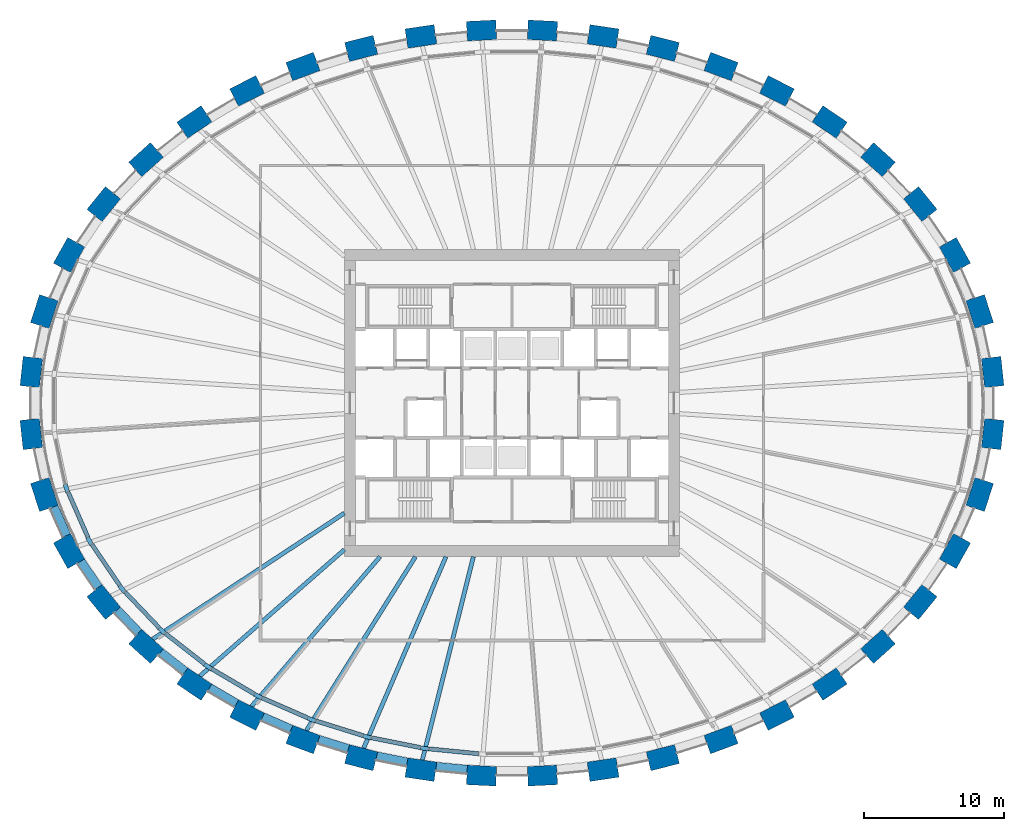
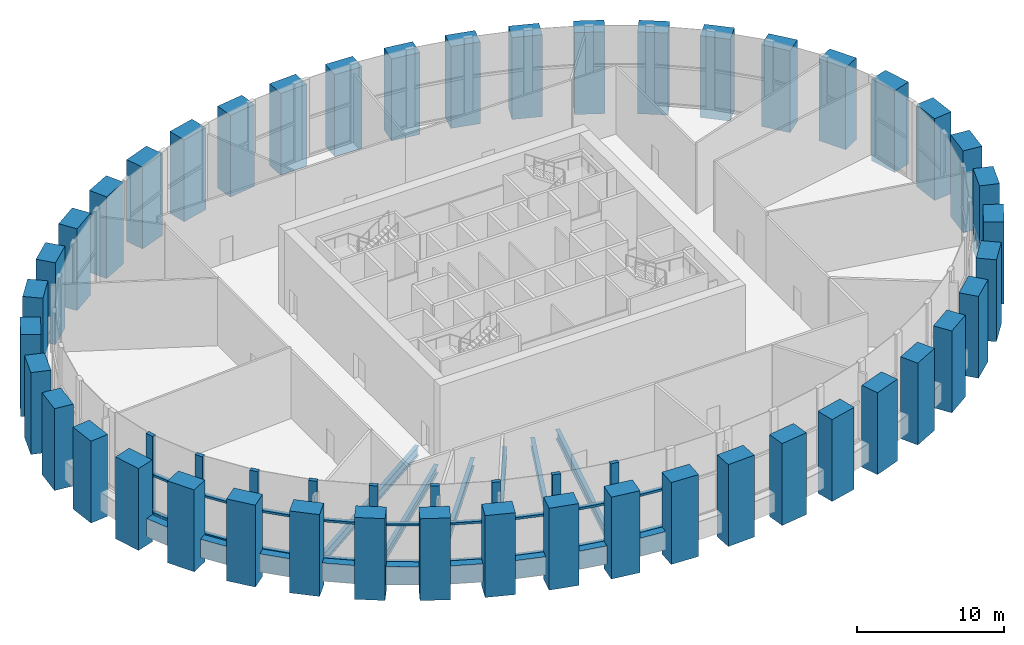
# One storey, part 1 of 16: 44 columns, 27 members, 15 beams, 1 element without a shape of its own.
"""IFC4 building model written with IfcOpenShell, lengths in metres."""

import ifcopenshell
import ifcopenshell.guid

model = None  # the IFC model being written
_history = None  # IfcOwnerHistory: only IFC2X3 demands one
_inside = {}  # id of a spatial element -> (the spatial element, [elements in it])
_under = {}  # id of a project, library or spatial element -> (it, [spatial elements below it])
_declared = {}  # id of a project -> (the project, [libraries it declares])
_typed = {}  # id of a type object -> (the type object, [elements of that type])
_made_of = {}  # id of a material, layer set ... -> (it, [elements and type objects made of it])


def new_model(schema):
    """Start an empty IFC model of exactly this schema.

    Asked for "IFC4X3", IfcOpenShell would pick the latest addendum, in which some entities
    have other attributes; the version numbers below select the first issue.
    IFC2X3 requires an IfcOwnerHistory on every rooted entity: one is made here for all.
    """
    global model, _history
    if schema == "IFC4X3":
        model = ifcopenshell.file(schema_version=(4, 3, 0, 0))
    else:
        model = ifcopenshell.file(schema=schema)
    _inside.clear()
    _under.clear()
    _declared.clear()
    _typed.clear()
    _made_of.clear()
    _history = None
    if model.schema == "IFC2X3":
        org = make("IfcOrganization", Name="unknown")
        user = make(
            "IfcPersonAndOrganization",
            ThePerson=make("IfcPerson", FamilyName="unknown"),
            TheOrganization=org,
        )
        app = make(
            "IfcApplication",
            ApplicationDeveloper=org,
            Version="unknown",
            ApplicationFullName="unknown",
            ApplicationIdentifier="unknown",
        )
        _history = make(
            "IfcOwnerHistory",
            OwningUser=user,
            OwningApplication=app,
            ChangeAction="ADDED",
            CreationDate=0,
        )
    return model


def make(cls, **values):
    """One entity of the class cls with the attributes given. An attribute that is None is left unset."""
    return model.create_entity(
        cls, **{name: value for name, value in values.items() if value is not None}
    )


def rooted(cls, **values):
    """An entity with a GlobalId (a new one), such as an element, a storey or a relation."""
    return make(cls, GlobalId=ifcopenshell.guid.new(), OwnerHistory=_history, **values)


def si_unit(unit_type, name, prefix=None):
    """IfcSIUnit, for example si_unit("LENGTHUNIT", "METRE", prefix="MILLI")."""
    return make("IfcSIUnit", UnitType=unit_type, Prefix=prefix, Name=name)


def assignment(units):
    """IfcUnitAssignment: the units of a project."""
    return None if units is None else make("IfcUnitAssignment", Units=units)


def point(xyz):
    """IfcCartesianPoint."""
    return None if xyz is None else make("IfcCartesianPoint", Coordinates=xyz)


def direction(xyz):
    """IfcDirection."""
    return None if xyz is None else make("IfcDirection", DirectionRatios=xyz)


def frame(location, z_axis=None, x_axis=None):
    """IfcAxis2Placement3D, a coordinate frame: its origin and axes. An axis left out is left unset."""
    return make(
        "IfcAxis2Placement3D",
        Location=point(location),
        Axis=direction(z_axis),
        RefDirection=direction(x_axis),
    )


def frame_2d(location, x_axis=None):
    """IfcAxis2Placement2D, a coordinate frame in the plane: its origin and x axis."""
    return make(
        "IfcAxis2Placement2D", Location=point(location), RefDirection=direction(x_axis)
    )


def origin():
    """The frame at (0, 0, 0) with its axes left unset."""
    return frame((0.0, 0.0, 0.0))


def origin_2d():
    """The frame at (0, 0) in the plane with its x axis left unset."""
    return frame_2d((0.0, 0.0))


def place(relative_to, where):
    """IfcLocalPlacement: puts the frame where relative to a parent placement (None: the world)."""
    return make(
        "IfcLocalPlacement", PlacementRelTo=relative_to, RelativePlacement=where
    )


def context(
    kind, dimensions, precision=None, world=None, true_north=None, identifier=None
):
    """IfcGeometricRepresentationContext, for example the 3D "Model" context."""
    return make(
        "IfcGeometricRepresentationContext",
        ContextIdentifier=identifier,
        ContextType=kind,
        CoordinateSpaceDimension=dimensions,
        Precision=precision,
        WorldCoordinateSystem=world,
        TrueNorth=true_north,
    )


def subcontext(parent, identifier, kind, view, scale=None):
    """IfcGeometricRepresentationSubContext, for example "Body" below "Model"."""
    return make(
        "IfcGeometricRepresentationSubContext",
        ContextIdentifier=identifier,
        ContextType=kind,
        ParentContext=parent,
        TargetScale=scale,
        TargetView=view,
    )


def project(units=None, contexts=None):
    """IfcProject with its units and contexts."""
    return rooted(
        "IfcProject",
        Name="project",
        RepresentationContexts=contexts,
        UnitsInContext=assignment(units),
    )


def spatial(cls, under=None, at=None, **own):
    """A site, building, storey or space (cls), placed at a placement, below another one or the project."""
    s = rooted(cls, ObjectPlacement=at, **own)
    if under is not None:
        _under.setdefault(under.id(), (under, []))[1].append(s)
    return s


def profile(cls, at=None, kind="AREA", **sizes):
    """A parametric profile (cls). Its sizes go by their IFC names, for example OverallWidth=200.0."""
    return make(cls, ProfileType=kind, Position=at, **sizes)


def rectangle(**sizes):
    """IfcRectangleProfileDef."""
    return profile("IfcRectangleProfileDef", **sizes)


def i_section(**sizes):
    """IfcIShapeProfileDef."""
    return profile("IfcIShapeProfileDef", **sizes)


def extrude(swept, where, along, depth):
    """IfcExtrudedAreaSolid: the profile swept, set in the frame where, extruded along a direction by depth."""
    return make(
        "IfcExtrudedAreaSolid",
        SweptArea=swept,
        Position=where,
        ExtrudedDirection=direction(along),
        Depth=depth,
    )


def shape(context_of_items, identifier, shape_type, items):
    """IfcShapeRepresentation: the items that make up one representation, for example the "Body"."""
    return make(
        "IfcShapeRepresentation",
        ContextOfItems=context_of_items,
        RepresentationIdentifier=identifier,
        RepresentationType=shape_type,
        Items=items,
    )


def source(mapping_origin, context_of_items, identifier, shape_type, items):
    """IfcRepresentationMap: a shape defined once, which mapped items show again and again."""
    return make(
        "IfcRepresentationMap",
        MappingOrigin=mapping_origin,
        MappedRepresentation=shape(context_of_items, identifier, shape_type, items),
    )


def transform(
    local_origin,
    x_axis=None,
    y_axis=None,
    z_axis=None,
    scale=None,
    scale2=None,
    scale3=None,
    uniform=True,
):
    """IfcCartesianTransformationOperator3D, or its non-uniform kind. x_axis, y_axis, z_axis: its Axis1, 2, 3."""
    if uniform:
        return make(
            "IfcCartesianTransformationOperator3D",
            Axis1=direction(x_axis),
            Axis2=direction(y_axis),
            LocalOrigin=point(local_origin),
            Scale=scale,
            Axis3=direction(z_axis),
        )
    return make(
        "IfcCartesianTransformationOperator3DnonUniform",
        Axis1=direction(x_axis),
        Axis2=direction(y_axis),
        LocalOrigin=point(local_origin),
        Scale=scale,
        Axis3=direction(z_axis),
        Scale2=scale2,
        Scale3=scale3,
    )


def mapped(mapping_source, mapping_target):
    """IfcMappedItem: shows the shape of a source again, moved by a transform."""
    return make(
        "IfcMappedItem", MappingSource=mapping_source, MappingTarget=mapping_target
    )


def material(Name=None, Category=None):
    """IfcMaterial."""
    return make("IfcMaterial", Name=Name, Category=Category)


def material_profile(
    of_material, cross_section, Name=None, Category=None, Priority=None
):
    """IfcMaterialProfile: a cross section and its material."""
    return make(
        "IfcMaterialProfile",
        Name=Name,
        Material=of_material,
        Profile=cross_section,
        Priority=Priority,
        Category=Category,
    )


def profile_set(profiles, Name=None, composite=None):
    """IfcMaterialProfileSet."""
    return make(
        "IfcMaterialProfileSet",
        Name=Name,
        MaterialProfiles=profiles,
        CompositeProfile=composite,
    )


def made_of(thing, what):
    """Note that an element or type object is made of a material, layer set ...; save() writes the relation."""
    if what is not None:
        _made_of.setdefault(what.id(), (what, []))[1].append(thing)
    return thing


def type_object(cls, material=None, **own):
    """A type object (cls), such as IfcWallType, which elements share."""
    return made_of(rooted(cls, **own), material)


def element(
    cls,
    number,
    at=None,
    inside=None,
    cuts=None,
    type_object=None,
    material=None,
    context=None,
    identifier="Body",
    shape_type=None,
    held_by="IfcProductDefinitionShape",
    body=None,
    shapes=None,
    **own,
):
    """One element of the class cls, such as IfcWall. Its Tag is "e" and its number.

    at: its placement. inside: the storey or other place that contains it. cuts: it is an
    opening in that element (IfcRelVoidsElement). A single representation is given by context,
    identifier, shape_type and body (its items); several are given by shapes. held_by: the class
    of the entity that holds the representations. save() writes the other relations.
    """
    e = rooted(cls, Tag="e%d" % number, ObjectPlacement=at, **own)
    if body is not None:
        shapes = [shape(context, identifier, shape_type, body)]
    if shapes is not None:
        e.Representation = make(held_by, Representations=shapes)
    if inside is not None:
        _inside.setdefault(inside.id(), (inside, []))[1].append(e)
    if cuts is not None:
        rooted(
            "IfcRelVoidsElement", RelatingBuildingElement=cuts, RelatedOpeningElement=e
        )
    if type_object is not None:
        _typed.setdefault(type_object.id(), (type_object, []))[1].append(e)
    return made_of(e, material)


def aggregate(whole, parts):
    """IfcRelAggregates: a whole, such as a stair, and the parts it consists of."""
    return rooted("IfcRelAggregates", RelatingObject=whole, RelatedObjects=parts)


def save(model, path):
    """Write the relations noted so far, then the file.

    IfcRelAggregates (storeys below a building ...), IfcRelContainedInSpatialStructure (elements
    in a storey), IfcRelDefinesByType, IfcRelAssociatesMaterial and IfcRelDeclares: one each for
    every whole, place, type object, material and project.
    """
    for whole, parts in _under.values():
        aggregate(whole, parts)
    for where, things in _inside.values():
        rooted(
            "IfcRelContainedInSpatialStructure",
            RelatedElements=things,
            RelatingStructure=where,
        )
    for kind, things in _typed.values():
        rooted("IfcRelDefinesByType", RelatedObjects=things, RelatingType=kind)
    for what, things in _made_of.values():
        rooted("IfcRelAssociatesMaterial", RelatedObjects=things, RelatingMaterial=what)
    for by, libraries in _declared.values():
        rooted("IfcRelDeclares", RelatingContext=by, RelatedDefinitions=libraries)
    model.write(path)


model = new_model("IFC4")

# Units and contexts
model_context = context("Model", 3, precision=1e-05, world=origin(), true_north=direction((0.0, 1.0)))
body_context = subcontext(model_context, "Body", "Model", "MODEL_VIEW")
ifc_project = project(units=[si_unit("LENGTHUNIT", "METRE"), si_unit("AREAUNIT", "SQUARE_METRE"), si_unit("VOLUMEUNIT", "CUBIC_METRE"), si_unit("PLANEANGLEUNIT", "RADIAN"), si_unit("MASSUNIT", "GRAM", prefix="KILO")], contexts=[model_context])

# Site, building, storey
site_placement = place(None, origin())
site = spatial("IfcSite", under=ifc_project, at=site_placement, CompositionType="ELEMENT")
building_placement = place(site_placement, origin())
building = spatial("IfcBuilding", under=site, at=building_placement, Name="Embergate Tower", CompositionType="ELEMENT")
storey_placement = place(building_placement, frame((0.0, 0.0, 234.60009765625)))
storey = spatial("IfcBuildingStorey", under=building, at=storey_placement, Name="L54", CompositionType="ELEMENT", Elevation=234.60009765625)

# Columns
ifc_material_1 = material(Name="Concrete C60", Category="concrete")
ifc_material_profile_1 = material_profile(ifc_material_1, rectangle(XDim=1.39990234375, YDim=2.10009765625, at=origin_2d()), Name="RC 1400x2100")
ifc_profile_set_1 = profile_set([ifc_material_profile_1], Name="Concrete C60")
column_type = type_object("IfcColumnType", Name="Ring column RC 1400x2100 C60", PredefinedType="COLUMN", material=ifc_profile_set_1)
shared_shape_1 = source(origin(), body_context, "Body", "SweptSolid", [
    extrude(rectangle(XDim=1.39990234375, YDim=2.10009765625, at=origin_2d()), origin(), (0.0, 0.0, 1.0), 6.7998046875),
])
for number, where, z_axis, x_axis, name in (
    (1, (34.4130859375, 2.217041015625, -1.5), (0.0, 0.0, 1.0), (0.99428589498, 0.106749983816, 0.0), "COL-L54-00"),
    (2, (33.48095703125, 6.547119140625, -1.5), (0.0, 0.0, 1.0), (0.950754033697, 0.309946394413, 0.0), "COL-L54-01"),
    (3, (31.7060546875, 10.594970703125, -1.5), (0.0, 0.0, 1.0), (0.873491969053, 0.486838556403, 0.0), "COL-L54-02"),
    (4, (29.22802734375, 14.240966796875, -1.5), (0.0, 0.0, 1.0), (0.775914301615, 0.630838328377, 0.0), "COL-L54-03"),
    (5, (26.194091796875, 17.422119140625, -1.5), (0.0, 0.0, 1.0), (0.669208424634, 0.74307475021, 0.0), "COL-L54-04"),
    (6, (22.737060546875, 20.1201171875, -1.5), (0.0, 0.0, 1.0), (0.560378824075, 0.828236423691, 0.0), "COL-L54-05"),
    (7, (18.964111328125, 22.337890625, -1.5), (0.0, 0.0, 1.0), (0.452994952881, 0.891513080478, 0.0), "COL-L54-06"),
    (8, (14.9609375, 24.089111328125, -1.5), (0.0, 0.0, 1.0), (0.348343015724, 0.93736713373, 0.0), "COL-L54-07"),
    (9, (10.7939453125, 25.386962890625, -1.5), (0.0, 0.0, 1.0), (0.246491603437, 0.969144926951, 0.0), "COL-L54-08"),
    (10, (6.51806640625, 26.243896484375, -1.5), (0.0, 0.0, 1.0), (0.146929011949, 0.989147039346, 0.0), "COL-L54-09"),
    (11, (2.178955078125, 26.6708984375, -1.5), (0.0, 0.0, 1.0), (0.048814904854, 0.998807841912, 0.0), "COL-L54-10"),
    (12, (-2.178955078125, 26.6708984375, -1.5), (0.0, 0.0, 1.0), (-0.048814904854, 0.998807841912, 0.0), "COL-L54-11"),
    (13, (-6.51806640625, 26.243896484375, -1.5), (0.0, 0.0, 1.0), (-0.146929011949, 0.989147039346, 0.0), "COL-L54-12"),
    (14, (-10.7939453125, 25.386962890625, -1.5), (0.0, 0.0, 1.0), (-0.246491603437, 0.969144926951, 0.0), "COL-L54-13"),
    (15, (-14.9609375, 24.089111328125, -1.5), (0.0, 0.0, 1.0), (-0.348343015724, 0.93736713373, 0.0), "COL-L54-14"),
    (16, (-18.964111328125, 22.337890625, -1.5), (0.0, 0.0, 1.0), (-0.452994952881, 0.891513080478, 0.0), "COL-L54-15"),
    (17, (-22.737060546875, 20.1201171875, -1.5), (0.0, 0.0, 1.0), (-0.560378824075, 0.828236423691, 0.0), "COL-L54-16"),
    (18, (-26.194091796875, 17.422119140625, -1.5), (0.0, 0.0, 1.0), (-0.669208424634, 0.74307475021, 0.0), "COL-L54-17"),
    (19, (-29.22802734375, 14.240966796875, -1.5), (0.0, 0.0, 1.0), (-0.775914301615, 0.630838328377, 0.0), "COL-L54-18"),
    (20, (-31.7060546875, 10.594970703125, -1.5), (0.0, 0.0, 1.0), (-0.873491969053, 0.486838556403, 0.0), "COL-L54-19"),
    (21, (-33.48095703125, 6.547119140625, -1.5), (0.0, 0.0, 1.0), (-0.950754033697, 0.309946394413, 0.0), "COL-L54-20"),
    (22, (-34.4130859375, 2.217041015625, -1.5), (0.0, 0.0, 1.0), (-0.99428589498, 0.106749983816, 0.0), "COL-L54-21"),
    (23, (-34.4130859375, -2.217041015625, -1.5), (0.0, 0.0, 1.0), (-0.99428589498, -0.106749983816, 0.0), "COL-L54-22"),
    (24, (-33.48095703125, -6.547119140625, -1.5), (0.0, 0.0, 1.0), (-0.950754033697, -0.309946394413, 0.0), "COL-L54-23"),
    (25, (-31.7060546875, -10.594970703125, -1.5), (0.0, 0.0, 1.0), (-0.873491969053, -0.486838556403, 0.0), "COL-L54-24"),
    (26, (-29.22802734375, -14.240966796875, -1.5), (0.0, 0.0, 1.0), (-0.775914301615, -0.630838328377, 0.0), "COL-L54-25"),
    (27, (-26.194091796875, -17.422119140625, -1.5), (0.0, 0.0, 1.0), (-0.669208424634, -0.74307475021, 0.0), "COL-L54-26"),
    (28, (-22.737060546875, -20.1201171875, -1.5), (0.0, 0.0, 1.0), (-0.560378824075, -0.828236423691, 0.0), "COL-L54-27"),
    (29, (-18.964111328125, -22.337890625, -1.5), (0.0, 0.0, 1.0), (-0.452994952881, -0.891513080478, 0.0), "COL-L54-28"),
    (30, (-14.9609375, -24.089111328125, -1.5), (0.0, 0.0, 1.0), (-0.348343015724, -0.93736713373, 0.0), "COL-L54-29"),
    (31, (-10.7939453125, -25.386962890625, -1.5), (0.0, 0.0, 1.0), (-0.246491603437, -0.969144926951, 0.0), "COL-L54-30"),
    (32, (-6.51806640625, -26.243896484375, -1.5), (0.0, 0.0, 1.0), (-0.146929011949, -0.989147039346, 0.0), "COL-L54-31"),
    (33, (-2.178955078125, -26.6708984375, -1.5), (0.0, 0.0, 1.0), (-0.048814904854, -0.998807841912, 0.0), "COL-L54-32"),
    (34, (2.178955078125, -26.6708984375, -1.5), (0.0, 0.0, 1.0), (0.048814904854, -0.998807841912, 0.0), "COL-L54-33"),
    (35, (6.51806640625, -26.243896484375, -1.5), (0.0, 0.0, 1.0), (0.146929011949, -0.989147039346, 0.0), "COL-L54-34"),
    (36, (10.7939453125, -25.386962890625, -1.5), (0.0, 0.0, 1.0), (0.246491603437, -0.969144926951, 0.0), "COL-L54-35"),
    (37, (14.9609375, -24.089111328125, -1.5), (0.0, 0.0, 1.0), (0.348343015724, -0.93736713373, 0.0), "COL-L54-36"),
    (38, (18.964111328125, -22.337890625, -1.5), (0.0, 0.0, 1.0), (0.452994952881, -0.891513080478, 0.0), "COL-L54-37"),
    (39, (22.737060546875, -20.1201171875, -1.5), (0.0, 0.0, 1.0), (0.560378824075, -0.828236423691, 0.0), "COL-L54-38"),
    (40, (26.194091796875, -17.422119140625, -1.5), (0.0, 0.0, 1.0), (0.669208424634, -0.74307475021, 0.0), "COL-L54-39"),
    (41, (29.22802734375, -14.240966796875, -1.5), (0.0, 0.0, 1.0), (0.775914301615, -0.630838328377, 0.0), "COL-L54-40"),
    (42, (31.7060546875, -10.594970703125, -1.5), (0.0, 0.0, 1.0), (0.873491969053, -0.486838556403, 0.0), "COL-L54-41"),
    (43, (33.48095703125, -6.547119140625, -1.5), (0.0, 0.0, 1.0), (0.950754033697, -0.309946394413, 0.0), "COL-L54-42"),
    (44, (34.4130859375, -2.217041015625, -1.5), (0.0, 0.0, 1.0), (0.99428589498, -0.106749983816, 0.0), "COL-L54-43"),
):
    element("IfcColumn", number, at=place(storey_placement, frame(where, z_axis=z_axis, x_axis=x_axis)), inside=storey, type_object=column_type, Name=name, PredefinedType="COLUMN", context=body_context, shape_type="MappedRepresentation", body=[
        mapped(shared_shape_1, transform((0.0, 0.0, 0.0))),
    ])

# Beams
ifc_material_profile_2 = material_profile(ifc_material_1, rectangle(XDim=0.60009765625, YDim=1.5, at=origin_2d()), Name="RC 600x1500")
ifc_profile_set_2 = profile_set([ifc_material_profile_2], Name="Concrete C60")
beam_type_1 = type_object("IfcBeamType", Name="Spandrel beam RC 600x1500 C60", PredefinedType="BEAM", material=ifc_profile_set_2)
shared_shape_2 = source(origin(), body_context, "Body", "SweptSolid", [
    extrude(rectangle(XDim=0.60009765625, YDim=1.5, at=origin_2d()), origin(), (0.0, 0.0, 1.0), 2.252685546875),
])
beam_1_placement = place(storey_placement, frame((-32.77392578125, -7.4208984375, 0.0), z_axis=(0.401739626426, -0.915753936688, 0.0), x_axis=(0.915753936688, 0.401739626426, 0.0)))
element("IfcBeam", 45, at=beam_1_placement, inside=storey, type_object=beam_type_1, Name="SPN-L54-23", PredefinedType="BEAM", context=body_context, shape_type="MappedRepresentation", body=[
    mapped(shared_shape_2, transform((0.0, 0.0, 0.0))),
])
shared_shape_3 = source(origin(), body_context, "Body", "SweptSolid", [
    extrude(rectangle(XDim=0.60009765625, YDim=1.5, at=origin_2d()), origin(), (0.0, 0.0, 1.0), 2.247802734375),
])
beam_2_placement = place(storey_placement, frame((-30.85302734375, -11.322021484375, 0.0), z_axis=(0.562271401441, -0.826952762328, 0.0), x_axis=(0.826952762328, 0.562271401441, 0.0)))
element("IfcBeam", 46, at=beam_2_placement, inside=storey, type_object=beam_type_1, Name="SPN-L54-24", PredefinedType="BEAM", context=body_context, shape_type="MappedRepresentation", body=[
    mapped(shared_shape_3, transform((0.0, 0.0, 0.0))),
])
shared_shape_4 = source(origin(), body_context, "Body", "SweptSolid", [
    extrude(rectangle(XDim=0.60009765625, YDim=1.5, at=origin_2d()), origin(), (0.0, 0.0, 1.0), 2.24072265625),
])
beam_3_placement = place(storey_placement, frame((-28.25390625, -14.802001953125, 0.0), z_axis=(0.690351348843, -0.723474267096, 0.0), x_axis=(0.723474267096, 0.690351348843, 0.0)))
element("IfcBeam", 47, at=beam_3_placement, inside=storey, type_object=beam_type_1, Name="SPN-L54-25", PredefinedType="BEAM", context=body_context, shape_type="MappedRepresentation", body=[
    mapped(shared_shape_4, transform((0.0, 0.0, 0.0))),
])
shared_shape_5 = source(origin(), body_context, "Body", "SweptSolid", [
    extrude(rectangle(XDim=0.60009765625, YDim=1.5, at=origin_2d()), origin(), (0.0, 0.0, 1.0), 2.23583984375),
])
beam_4_placement = place(storey_placement, frame((-25.15087890625, -17.8330078125, 0.0), z_axis=(0.788522428972, -0.615005999165, 0.0), x_axis=(0.615005999165, 0.788522428972, 0.0)))
element("IfcBeam", 48, at=beam_4_placement, inside=storey, type_object=beam_type_1, Name="SPN-L54-26", PredefinedType="BEAM", context=body_context, shape_type="MappedRepresentation", body=[
    mapped(shared_shape_5, transform((0.0, 0.0, 0.0))),
])
shared_shape_6 = source(origin(), body_context, "Body", "SweptSolid", [
    extrude(rectangle(XDim=0.60009765625, YDim=1.5, at=origin_2d()), origin(), (0.0, 0.0, 1.0), 2.230224609375),
])
beam_5_placement = place(storey_placement, frame((-21.639892578125, -20.3720703125, 0.0), z_axis=(0.862170504971, -0.506618219528, 0.0), x_axis=(0.506618219528, 0.862170504971, 0.0)))
element("IfcBeam", 49, at=beam_5_placement, inside=storey, type_object=beam_type_1, Name="SPN-L54-27", PredefinedType="BEAM", context=body_context, shape_type="MappedRepresentation", body=[
    mapped(shared_shape_6, transform((0.0, 0.0, 0.0))),
])
shared_shape_7 = source(origin(), body_context, "Body", "SweptSolid", [
    extrude(rectangle(XDim=0.60009765625, YDim=1.5, at=origin_2d()), origin(), (0.0, 0.0, 1.0), 2.2275390625),
])
beam_6_placement = place(storey_placement, frame((-17.846923828125, -22.45703125, 0.0), z_axis=(0.916298147751, -0.400496821995, 0.0), x_axis=(0.400496821995, 0.916298147751, 0.0)))
element("IfcBeam", 50, at=beam_6_placement, inside=storey, type_object=beam_type_1, Name="SPN-L54-28", PredefinedType="BEAM", context=body_context, shape_type="MappedRepresentation", body=[
    mapped(shared_shape_7, transform((0.0, 0.0, 0.0))),
])
shared_shape_8 = source(origin(), body_context, "Body", "SweptSolid", [
    extrude(rectangle(XDim=0.60009765625, YDim=1.5, at=origin_2d()), origin(), (0.0, 0.0, 1.0), 2.225830078125),
])
beam_7_placement = place(storey_placement, frame((-13.839111328125, -24.0830078125, 0.0), z_axis=(0.954729467786, -0.297475449981, 0.0), x_axis=(0.297475449981, 0.954729467786, 0.0)))
element("IfcBeam", 51, at=beam_7_placement, inside=storey, type_object=beam_type_1, Name="SPN-L54-29", PredefinedType="BEAM", context=body_context, shape_type="MappedRepresentation", body=[
    mapped(shared_shape_8, transform((0.0, 0.0, 0.0))),
])
shared_shape_9 = source(origin(), body_context, "Body", "SweptSolid", [
    extrude(rectangle(XDim=0.60009765625, YDim=1.5, at=origin_2d()), origin(), (0.0, 0.0, 1.0), 2.223388671875),
])
beam_8_placement = place(storey_placement, frame((-9.678955078125, -25.264892578125, 0.0), z_axis=(0.980491882867, -0.196559577817, 0.0), x_axis=(0.196559577817, 0.980491882867, 0.0)))
element("IfcBeam", 52, at=beam_8_placement, inside=storey, type_object=beam_type_1, Name="SPN-L54-30", PredefinedType="BEAM", context=body_context, shape_type="MappedRepresentation", body=[
    mapped(shared_shape_9, transform((0.0, 0.0, 0.0))),
])
shared_shape_10 = source(origin(), body_context, "Body", "SweptSolid", [
    extrude(rectangle(XDim=0.60009765625, YDim=1.5, at=origin_2d()), origin(), (0.0, 0.0, 1.0), 2.223876953125),
])
beam_9_placement = place(storey_placement, frame((-5.422119140625, -26.010986328125, 0.0), z_axis=(0.99518284786, -0.098036214356, 0.0), x_axis=(0.098036214356, 0.99518284786, 0.0)))
element("IfcBeam", 53, at=beam_9_placement, inside=storey, type_object=beam_type_1, Name="SPN-L54-31", PredefinedType="BEAM", context=body_context, shape_type="MappedRepresentation", body=[
    mapped(shared_shape_10, transform((0.0, 0.0, 0.0))),
])
ifc_material_2 = material(Name="Steel Q355B", Category="steel")
ifc_material_profile_3 = material_profile(ifc_material_2, i_section(OverallWidth=0.300048828125, OverallDepth=0.800048828125, WebThickness=0.013916015625, FlangeThickness=0.02587890625, FilletRadius=0.028076171875, at=origin_2d()), Name="HN 800x300x14x26")
ifc_profile_set_3 = profile_set([ifc_material_profile_3], Name="Steel Q355 grade B")
beam_type_2 = type_object("IfcBeamType", Name="Radial girder HN 800x300x14x26", PredefinedType="BEAM", material=ifc_profile_set_3)
shared_shape_11 = source(origin(), body_context, "Body", "SweptSolid", [
    extrude(i_section(OverallWidth=0.300048828125, OverallDepth=0.800048828125, WebThickness=0.013916015625, FlangeThickness=0.02587890625, FilletRadius=0.028076171875, at=origin_2d()), origin(), (0.0, 0.0, 1.0), 16.423583984375),
])
beam_10_placement = place(storey_placement, frame((-25.72607421875, -16.902099609375, -0.7001953125), z_axis=(0.835759275687, 0.549096014466, 0.0), x_axis=(-0.549096014466, 0.835759275687, 0.0)))
element("IfcBeam", 54, at=beam_10_placement, inside=storey, type_object=beam_type_2, Name="GIR-L54-26", PredefinedType="BEAM", context=body_context, shape_type="MappedRepresentation", body=[
    mapped(shared_shape_11, transform((0.0, 0.0, 0.0))),
])
ifc_material_profile_4 = material_profile(ifc_material_2, i_section(OverallWidth=0.300048828125, OverallDepth=0.699951171875, WebThickness=0.012939453125, FlangeThickness=0.02392578125, FilletRadius=0.01806640625, at=origin_2d()), Name="HN 700x300x13x24")
ifc_profile_set_4 = profile_set([ifc_material_profile_4], Name="Steel Q355 grade B")
beam_type_3 = type_object("IfcBeamType", Name="Radial girder HN 700x300x13x24", PredefinedType="BEAM", material=ifc_profile_set_4)
shared_shape_12 = source(origin(), body_context, "Body", "SweptSolid", [
    extrude(i_section(OverallWidth=0.300048828125, OverallDepth=0.699951171875, WebThickness=0.012939453125, FlangeThickness=0.02392578125, FilletRadius=0.01806640625, at=origin_2d()), origin(), (0.0, 0.0, 1.0), 13.742431640625),
])
beam_11_placement = place(storey_placement, frame((-22.344970703125, -19.5400390625, -0.650146484375), z_axis=(0.75278245611, 0.658269377818, 0.0), x_axis=(-0.658269377818, 0.75278245611, 0.0)))
element("IfcBeam", 55, at=beam_11_placement, inside=storey, type_object=beam_type_3, Name="GIR-L54-27", PredefinedType="BEAM", context=body_context, shape_type="MappedRepresentation", body=[
    mapped(shared_shape_12, transform((0.0, 0.0, 0.0))),
])
shared_shape_13 = source(origin(), body_context, "Body", "SweptSolid", [
    extrude(i_section(OverallWidth=0.300048828125, OverallDepth=0.699951171875, WebThickness=0.012939453125, FlangeThickness=0.02392578125, FilletRadius=0.01806640625, at=origin_2d()), origin(), (0.0, 0.0, 1.0), 14.12255859375),
])
beam_12_placement = place(storey_placement, frame((-18.64697265625, -21.714111328125, -0.650146484375), z_axis=(0.651501489493, 0.75864735496, 0.0), x_axis=(-0.75864735496, 0.651501489493, 0.0)))
element("IfcBeam", 56, at=beam_12_placement, inside=storey, type_object=beam_type_3, Name="GIR-L54-28", PredefinedType="BEAM", context=body_context, shape_type="MappedRepresentation", body=[
    mapped(shared_shape_13, transform((0.0, 0.0, 0.0))),
])
shared_shape_14 = source(origin(), body_context, "Body", "SweptSolid", [
    extrude(i_section(OverallWidth=0.300048828125, OverallDepth=0.699951171875, WebThickness=0.012939453125, FlangeThickness=0.02392578125, FilletRadius=0.01806640625, at=origin_2d()), origin(), (0.0, 0.0, 1.0), 14.681640625),
])
beam_13_placement = place(storey_placement, frame((-14.717041015625, -23.43310546875, -0.650146484375), z_axis=(0.531830261052, 0.846850974747, 0.0), x_axis=(-0.846850974747, 0.531830261052, 0.0)))
element("IfcBeam", 57, at=beam_13_placement, inside=storey, type_object=beam_type_3, Name="GIR-L54-29", PredefinedType="BEAM", context=body_context, shape_type="MappedRepresentation", body=[
    mapped(shared_shape_14, transform((0.0, 0.0, 0.0))),
])
shared_shape_15 = source(origin(), body_context, "Body", "SweptSolid", [
    extrude(i_section(OverallWidth=0.300048828125, OverallDepth=0.699951171875, WebThickness=0.012939453125, FlangeThickness=0.02392578125, FilletRadius=0.01806640625, at=origin_2d()), origin(), (0.0, 0.0, 1.0), 14.921630859375),
])
beam_14_placement = place(storey_placement, frame((-10.62109375, -24.708984375, -0.650146484375), z_axis=(0.394870881209, 0.918736625575, 0.0), x_axis=(-0.918736625575, 0.394870881209, 0.0)))
element("IfcBeam", 58, at=beam_14_placement, inside=storey, type_object=beam_type_3, Name="GIR-L54-30", PredefinedType="BEAM", context=body_context, shape_type="MappedRepresentation", body=[
    mapped(shared_shape_15, transform((0.0, 0.0, 0.0))),
])
shared_shape_16 = source(origin(), body_context, "Body", "SweptSolid", [
    extrude(i_section(OverallWidth=0.300048828125, OverallDepth=0.800048828125, WebThickness=0.013916015625, FlangeThickness=0.02587890625, FilletRadius=0.028076171875, at=origin_2d()), origin(), (0.0, 0.0, 1.0), 15.00341796875),
])
beam_15_placement = place(storey_placement, frame((-6.4150390625, -25.552001953125, -0.7001953125), z_axis=(0.243481212882, 0.969905613435, 0.0), x_axis=(-0.969905613435, 0.243481212882, 0.0)))
element("IfcBeam", 59, at=beam_15_placement, inside=storey, type_object=beam_type_2, Name="GIR-L54-31", PredefinedType="BEAM", context=body_context, shape_type="MappedRepresentation", body=[
    mapped(shared_shape_16, transform((0.0, 0.0, 0.0))),
])

# Curtain wall, members
ifc_material_3 = material(Name="Aluminium and glass", Category="aluminium")
curtain_wall_type = type_object("IfcCurtainWallType", Name="Sky lobby high glazing", PredefinedType="NOTDEFINED", material=ifc_material_3)
curtain_wall_placement = place(storey_placement, origin())
curtain_wall = element("IfcCurtainWall", 60, at=curtain_wall_placement, inside=storey, type_object=curtain_wall_type, Name="Sky lobby high glazing run 3", ObjectType="SKY LOBBY HIGH GLAZING", PredefinedType="USERDEFINED")
ifc_material_4 = material(Name="Aluminium, thermally broken", Category="aluminium")
ifc_material_profile_5 = material_profile(ifc_material_4, rectangle(XDim=0.300048828125, YDim=0.60009765625, at=origin_2d()), Name="AL 600x300")
ifc_profile_set_5 = profile_set([ifc_material_profile_5], Name="Aluminium, thermally broken")
member_type_1 = type_object("IfcMemberType", Name="Sky lobby mullion", PredefinedType="MULLION", material=ifc_profile_set_5)
shared_shape_17 = source(origin(), body_context, "Body", "SweptSolid", [
    extrude(rectangle(XDim=0.300048828125, YDim=0.60009765625, at=origin_2d()), origin(), (0.0, 0.0, 1.0), 6.5),
])
member_1_placement = place(storey_placement, frame((-31.899169921875, -6.096435546875, 0.0), z_axis=(0.0, 0.0, 1.0), x_axis=(0.951490817264, 0.307677143547, 0.0)))
member_1 = element("IfcMember", 61, at=member_1_placement, type_object=member_type_1, Name="CW mullion 2", PredefinedType="MULLION", context=body_context, shape_type="MappedRepresentation", body=[
    mapped(shared_shape_17, transform((0.0, 0.0, 0.0))),
])
member_2_placement = place(storey_placement, frame((-30.238525390625, -9.8828125, 0.0), z_axis=(0.0, 0.0, 1.0), x_axis=(0.874989221314, 0.484142399078, 0.0)))
member_2 = element("IfcMember", 62, at=member_2_placement, type_object=member_type_1, Name="CW mullion 3", PredefinedType="MULLION", context=body_context, shape_type="MappedRepresentation", body=[
    mapped(shared_shape_17, transform((0.0, 0.0, 0.0))),
])
member_3_placement = place(storey_placement, frame((-27.907958984375, -13.309814453125, 0.0), z_axis=(0.0, 0.0, 1.0), x_axis=(0.777858305711, 0.628439699762, 0.0)))
member_3 = element("IfcMember", 63, at=member_3_placement, type_object=member_type_1, Name="CW mullion 4", PredefinedType="MULLION", context=body_context, shape_type="MappedRepresentation", body=[
    mapped(shared_shape_17, transform((0.0, 0.0, 0.0))),
])
member_4_placement = place(storey_placement, frame((-25.041015625, -16.316162109375, 0.0), z_axis=(0.0, 0.0, 1.0), x_axis=(0.67121489031, 0.741262821829, 0.0)))
member_4 = element("IfcMember", 64, at=member_4_placement, type_object=member_type_1, Name="CW mullion 5", PredefinedType="MULLION", context=body_context, shape_type="MappedRepresentation", body=[
    mapped(shared_shape_17, transform((0.0, 0.0, 0.0))),
])
member_5_placement = place(storey_placement, frame((-21.759765625, -18.877197265625, 0.0), z_axis=(0.0, 0.0, 1.0), x_axis=(0.562207514921, 0.82699619719, 0.0)))
member_5 = element("IfcMember", 65, at=member_5_placement, type_object=member_type_1, Name="CW mullion 6", PredefinedType="MULLION", context=body_context, shape_type="MappedRepresentation", body=[
    mapped(shared_shape_17, transform((0.0, 0.0, 0.0))),
])
member_6_placement = place(storey_placement, frame((-18.16552734375, -20.989990234375, 0.0), z_axis=(0.0, 0.0, 1.0), x_axis=(0.454503607328, 0.89074489666, 0.0)))
member_6 = element("IfcMember", 66, at=member_6_placement, type_object=member_type_1, Name="CW mullion 7", PredefinedType="MULLION", context=body_context, shape_type="MappedRepresentation", body=[
    mapped(shared_shape_17, transform((0.0, 0.0, 0.0))),
])
member_7_placement = place(storey_placement, frame((-14.341064453125, -22.66259765625, 0.0), z_axis=(0.0, 0.0, 1.0), x_axis=(0.349497777064, 0.936937193107, 0.0)))
member_7 = element("IfcMember", 67, at=member_7_placement, type_object=member_type_1, Name="CW mullion 8", PredefinedType="MULLION", context=body_context, shape_type="MappedRepresentation", body=[
    mapped(shared_shape_17, transform((0.0, 0.0, 0.0))),
])
member_8_placement = place(storey_placement, frame((-10.351806640625, -23.90478515625, 0.0), z_axis=(0.0, 0.0, 1.0), x_axis=(0.247308499144, 0.96893679167, 0.0)))
member_8 = element("IfcMember", 68, at=member_8_placement, type_object=member_type_1, Name="CW mullion 9", PredefinedType="MULLION", context=body_context, shape_type="MappedRepresentation", body=[
    mapped(shared_shape_17, transform((0.0, 0.0, 0.0))),
])
member_9_placement = place(storey_placement, frame((-6.253173828125, -24.726806640625, 0.0), z_axis=(0.0, 0.0, 1.0), x_axis=(0.147410656556, 0.989075375456, 0.0)))
member_9 = element("IfcMember", 69, at=member_9_placement, type_object=member_type_1, Name="CW mullion 10", PredefinedType="MULLION", context=body_context, shape_type="MappedRepresentation", body=[
    mapped(shared_shape_17, transform((0.0, 0.0, 0.0))),
])
ifc_material_profile_6 = material_profile(ifc_material_4, rectangle(XDim=0.300048828125, YDim=0.179931640625, at=origin_2d()), Name="AL 180x300")
ifc_profile_set_6 = profile_set([ifc_material_profile_6], Name="Aluminium, thermally broken")
member_type_2 = type_object("IfcMemberType", Name="Sky lobby transom", PredefinedType="USERDEFINED", material=ifc_profile_set_6)
shared_shape_18 = source(origin(), body_context, "Body", "SweptSolid", [
    extrude(rectangle(XDim=0.300048828125, YDim=0.179931640625, at=origin_2d()), origin(), (0.0, 0.0, 1.0), 3.53466796875),
])
member_10_placement = place(storey_placement, frame((-31.77880859375, -6.37109375, 0.08984375), z_axis=(0.401699095229, -0.915771716582, 0.0), x_axis=(0.915771716582, 0.401699095229, 0.0)))
member_10 = element("IfcMember", 70, at=member_10_placement, type_object=member_type_2, Name="CW transom 2.1", ObjectType="TRANSOM", PredefinedType="USERDEFINED", context=body_context, shape_type="MappedRepresentation", body=[
    mapped(shared_shape_18, transform((0.0, 0.0, 0.0))),
])
member_11_placement = place(storey_placement, frame((-31.77880859375, -6.37109375, 3.25), z_axis=(0.401699095229, -0.915771716582, 0.0), x_axis=(0.915771716582, 0.401699095229, 0.0)))
member_11 = element("IfcMember", 71, at=member_11_placement, type_object=member_type_2, Name="CW transom 2.2", ObjectType="TRANSOM", PredefinedType="USERDEFINED", context=body_context, shape_type="MappedRepresentation", body=[
    mapped(shared_shape_18, transform((0.0, 0.0, 0.0))),
])
shared_shape_19 = source(origin(), body_context, "Body", "SweptSolid", [
    extrude(rectangle(XDim=0.300048828125, YDim=0.179931640625, at=origin_2d()), origin(), (0.0, 0.0, 1.0), 3.54443359375),
])
member_12_placement = place(storey_placement, frame((-30.06982421875, -10.130859375, 0.08984375), z_axis=(0.562338281571, -0.826907284452, 0.0), x_axis=(0.826907284452, 0.562338281571, 0.0)))
member_12 = element("IfcMember", 72, at=member_12_placement, type_object=member_type_2, Name="CW transom 3.1", ObjectType="TRANSOM", PredefinedType="USERDEFINED", context=body_context, shape_type="MappedRepresentation", body=[
    mapped(shared_shape_19, transform((0.0, 0.0, 0.0))),
])
member_13_placement = place(storey_placement, frame((-30.06982421875, -10.130859375, 3.25), z_axis=(0.562338281571, -0.826907284452, 0.0), x_axis=(0.826907284452, 0.562338281571, 0.0)))
member_13 = element("IfcMember", 73, at=member_13_placement, type_object=member_type_2, Name="CW transom 3.2", ObjectType="TRANSOM", PredefinedType="USERDEFINED", context=body_context, shape_type="MappedRepresentation", body=[
    mapped(shared_shape_19, transform((0.0, 0.0, 0.0))),
])
shared_shape_20 = source(origin(), body_context, "Body", "SweptSolid", [
    extrude(rectangle(XDim=0.300048828125, YDim=0.179931640625, at=origin_2d()), origin(), (0.0, 0.0, 1.0), 3.55419921875),
])
member_14_placement = place(storey_placement, frame((-27.700927734375, -13.527099609375, 0.08984375), z_axis=(0.690147291227, -0.72366892735, 0.0), x_axis=(0.72366892735, 0.690147291227, 0.0)))
member_14 = element("IfcMember", 74, at=member_14_placement, type_object=member_type_2, Name="CW transom 4.1", ObjectType="TRANSOM", PredefinedType="USERDEFINED", context=body_context, shape_type="MappedRepresentation", body=[
    mapped(shared_shape_20, transform((0.0, 0.0, 0.0))),
])
member_15_placement = place(storey_placement, frame((-27.700927734375, -13.527099609375, 3.25), z_axis=(0.690147291227, -0.72366892735, 0.0), x_axis=(0.72366892735, 0.690147291227, 0.0)))
member_15 = element("IfcMember", 75, at=member_15_placement, type_object=member_type_2, Name="CW transom 4.2", ObjectType="TRANSOM", PredefinedType="USERDEFINED", context=body_context, shape_type="MappedRepresentation", body=[
    mapped(shared_shape_20, transform((0.0, 0.0, 0.0))),
])
shared_shape_21 = source(origin(), body_context, "Body", "SweptSolid", [
    extrude(rectangle(XDim=0.300048828125, YDim=0.179931640625, at=origin_2d()), origin(), (0.0, 0.0, 1.0), 3.562255859375),
])
member_16_placement = place(storey_placement, frame((-24.804443359375, -16.500732421875, 0.08984375), z_axis=(0.78834740186, -0.615230342214, 0.0), x_axis=(0.615230342214, 0.78834740186, 0.0)))
member_16 = element("IfcMember", 76, at=member_16_placement, type_object=member_type_2, Name="CW transom 5.1", ObjectType="TRANSOM", PredefinedType="USERDEFINED", context=body_context, shape_type="MappedRepresentation", body=[
    mapped(shared_shape_21, transform((0.0, 0.0, 0.0))),
])
member_17_placement = place(storey_placement, frame((-24.804443359375, -16.500732421875, 3.25), z_axis=(0.78834740186, -0.615230342214, 0.0), x_axis=(0.615230342214, 0.78834740186, 0.0)))
member_17 = element("IfcMember", 77, at=member_17_placement, type_object=member_type_2, Name="CW transom 5.2", ObjectType="TRANSOM", PredefinedType="USERDEFINED", context=body_context, shape_type="MappedRepresentation", body=[
    mapped(shared_shape_21, transform((0.0, 0.0, 0.0))),
])
shared_shape_22 = source(origin(), body_context, "Body", "SweptSolid", [
    extrude(rectangle(XDim=0.300048828125, YDim=0.179931640625, at=origin_2d()), origin(), (0.0, 0.0, 1.0), 3.5693359375),
])
member_18_placement = place(storey_placement, frame((-21.501220703125, -19.029052734375, 0.08984375), z_axis=(0.86203969711, -0.506840764547, 0.0), x_axis=(0.506840764547, 0.86203969711, 0.0)))
member_18 = element("IfcMember", 78, at=member_18_placement, type_object=member_type_2, Name="CW transom 6.1", ObjectType="TRANSOM", PredefinedType="USERDEFINED", context=body_context, shape_type="MappedRepresentation", body=[
    mapped(shared_shape_22, transform((0.0, 0.0, 0.0))),
])
member_19_placement = place(storey_placement, frame((-21.501220703125, -19.029052734375, 3.25), z_axis=(0.86203969711, -0.506840764547, 0.0), x_axis=(0.506840764547, 0.86203969711, 0.0)))
member_19 = element("IfcMember", 79, at=member_19_placement, type_object=member_type_2, Name="CW transom 6.2", ObjectType="TRANSOM", PredefinedType="USERDEFINED", context=body_context, shape_type="MappedRepresentation", body=[
    mapped(shared_shape_22, transform((0.0, 0.0, 0.0))),
])
shared_shape_23 = source(origin(), body_context, "Body", "SweptSolid", [
    extrude(rectangle(XDim=0.300048828125, YDim=0.179931640625, at=origin_2d()), origin(), (0.0, 0.0, 1.0), 3.573974609375),
])
member_20_placement = place(storey_placement, frame((-17.890625, -21.1103515625, 0.08984375), z_axis=(0.916237272554, -0.400636069748, 0.0), x_axis=(0.400636069748, 0.916237272554, 0.0)))
member_20 = element("IfcMember", 80, at=member_20_placement, type_object=member_type_2, Name="CW transom 7.1", ObjectType="TRANSOM", PredefinedType="USERDEFINED", context=body_context, shape_type="MappedRepresentation", body=[
    mapped(shared_shape_23, transform((0.0, 0.0, 0.0))),
])
member_21_placement = place(storey_placement, frame((-17.890625, -21.1103515625, 3.25), z_axis=(0.916237272554, -0.400636069748, 0.0), x_axis=(0.400636069748, 0.916237272554, 0.0)))
member_21 = element("IfcMember", 81, at=member_21_placement, type_object=member_type_2, Name="CW transom 7.2", ObjectType="TRANSOM", PredefinedType="USERDEFINED", context=body_context, shape_type="MappedRepresentation", body=[
    mapped(shared_shape_23, transform((0.0, 0.0, 0.0))),
])
shared_shape_24 = source(origin(), body_context, "Body", "SweptSolid", [
    extrude(rectangle(XDim=0.300048828125, YDim=0.179931640625, at=origin_2d()), origin(), (0.0, 0.0, 1.0), 3.577880859375),
])
member_22_placement = place(storey_placement, frame((-14.054443359375, -22.751708984375, 0.08984375), z_axis=(0.954761239302, -0.297373462041, 0.0), x_axis=(0.297373462041, 0.954761239302, 0.0)))
member_22 = element("IfcMember", 82, at=member_22_placement, type_object=member_type_2, Name="CW transom 8.1", ObjectType="TRANSOM", PredefinedType="USERDEFINED", context=body_context, shape_type="MappedRepresentation", body=[
    mapped(shared_shape_24, transform((0.0, 0.0, 0.0))),
])
member_23_placement = place(storey_placement, frame((-14.054443359375, -22.751708984375, 3.25), z_axis=(0.954761239302, -0.297373462041, 0.0), x_axis=(0.297373462041, 0.954761239302, 0.0)))
member_23 = element("IfcMember", 83, at=member_23_placement, type_object=member_type_2, Name="CW transom 8.2", ObjectType="TRANSOM", PredefinedType="USERDEFINED", context=body_context, shape_type="MappedRepresentation", body=[
    mapped(shared_shape_24, transform((0.0, 0.0, 0.0))),
])
shared_shape_25 = source(origin(), body_context, "Body", "SweptSolid", [
    extrude(rectangle(XDim=0.300048828125, YDim=0.179931640625, at=origin_2d()), origin(), (0.0, 0.0, 1.0), 3.58056640625),
])
member_24_placement = place(storey_placement, frame((-10.057861328125, -23.9638671875, 0.08984375), z_axis=(0.980488781874, -0.196575045768, 0.0), x_axis=(0.196575045768, 0.980488781874, 0.0)))
member_24 = element("IfcMember", 84, at=member_24_placement, type_object=member_type_2, Name="CW transom 9.1", ObjectType="TRANSOM", PredefinedType="USERDEFINED", context=body_context, shape_type="MappedRepresentation", body=[
    mapped(shared_shape_25, transform((0.0, 0.0, 0.0))),
])
member_25_placement = place(storey_placement, frame((-10.057861328125, -23.9638671875, 3.25), z_axis=(0.980488781874, -0.196575045768, 0.0), x_axis=(0.196575045768, 0.980488781874, 0.0)))
member_25 = element("IfcMember", 85, at=member_25_placement, type_object=member_type_2, Name="CW transom 9.2", ObjectType="TRANSOM", PredefinedType="USERDEFINED", context=body_context, shape_type="MappedRepresentation", body=[
    mapped(shared_shape_25, transform((0.0, 0.0, 0.0))),
])
shared_shape_26 = source(origin(), body_context, "Body", "SweptSolid", [
    extrude(rectangle(XDim=0.300048828125, YDim=0.179931640625, at=origin_2d()), origin(), (0.0, 0.0, 1.0), 3.581787109375),
])
member_26_placement = place(storey_placement, frame((-5.95458984375, -24.756103515625, 0.08984375), z_axis=(0.995198499335, -0.097877203277, 0.0), x_axis=(0.097877203277, 0.995198499335, 0.0)))
member_26 = element("IfcMember", 86, at=member_26_placement, type_object=member_type_2, Name="CW transom 10.1", ObjectType="TRANSOM", PredefinedType="USERDEFINED", context=body_context, shape_type="MappedRepresentation", body=[
    mapped(shared_shape_26, transform((0.0, 0.0, 0.0))),
])
member_27_placement = place(storey_placement, frame((-5.95458984375, -24.756103515625, 3.25), z_axis=(0.995198499335, -0.097877203277, 0.0), x_axis=(0.097877203277, 0.995198499335, 0.0)))
member_27 = element("IfcMember", 87, at=member_27_placement, type_object=member_type_2, Name="CW transom 10.2", ObjectType="TRANSOM", PredefinedType="USERDEFINED", context=body_context, shape_type="MappedRepresentation", body=[
    mapped(shared_shape_26, transform((0.0, 0.0, 0.0))),
])
aggregate(curtain_wall, [member_1, member_2, member_3, member_4, member_5, member_6, member_7, member_8, member_9, member_10, member_11, member_12, member_13, member_14, member_15, member_16, member_17, member_18, member_19, member_20, member_21, member_22, member_23, member_24, member_25, member_26, member_27])

save(model, "model.ifc")
